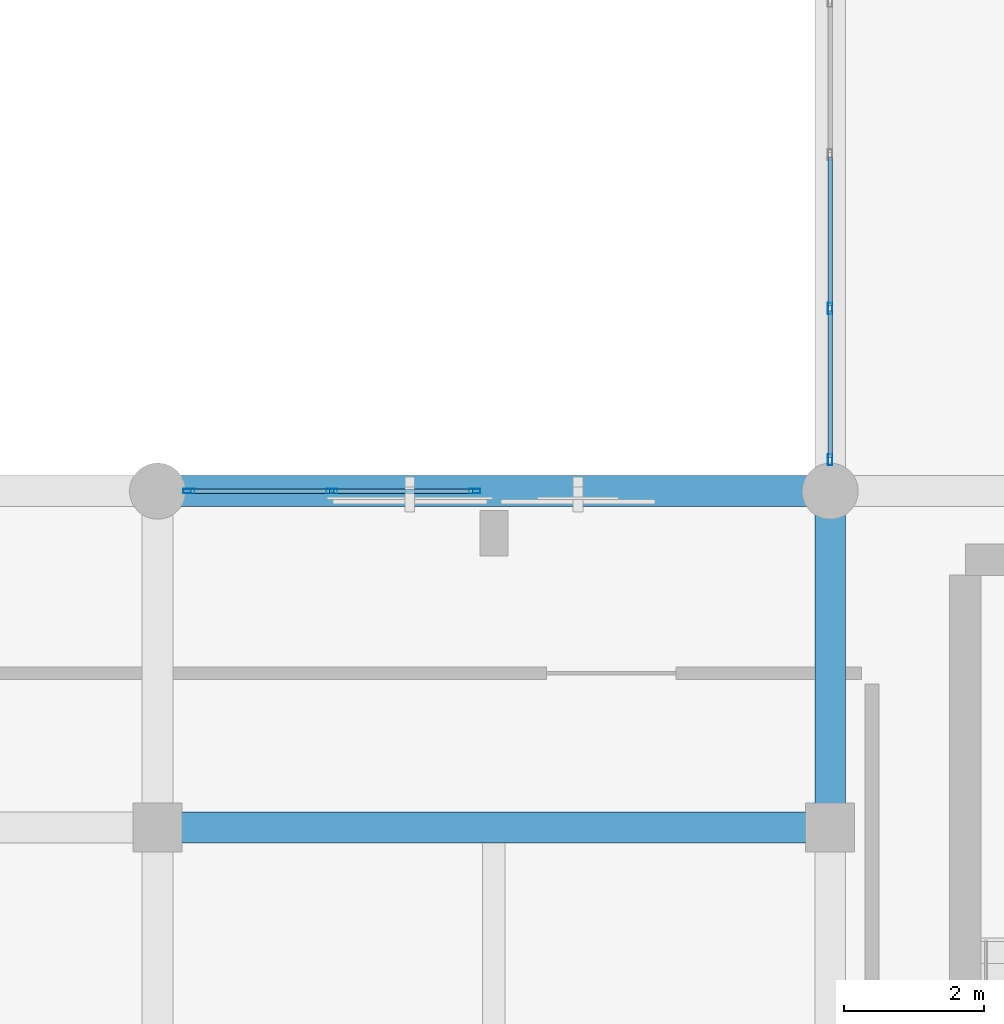
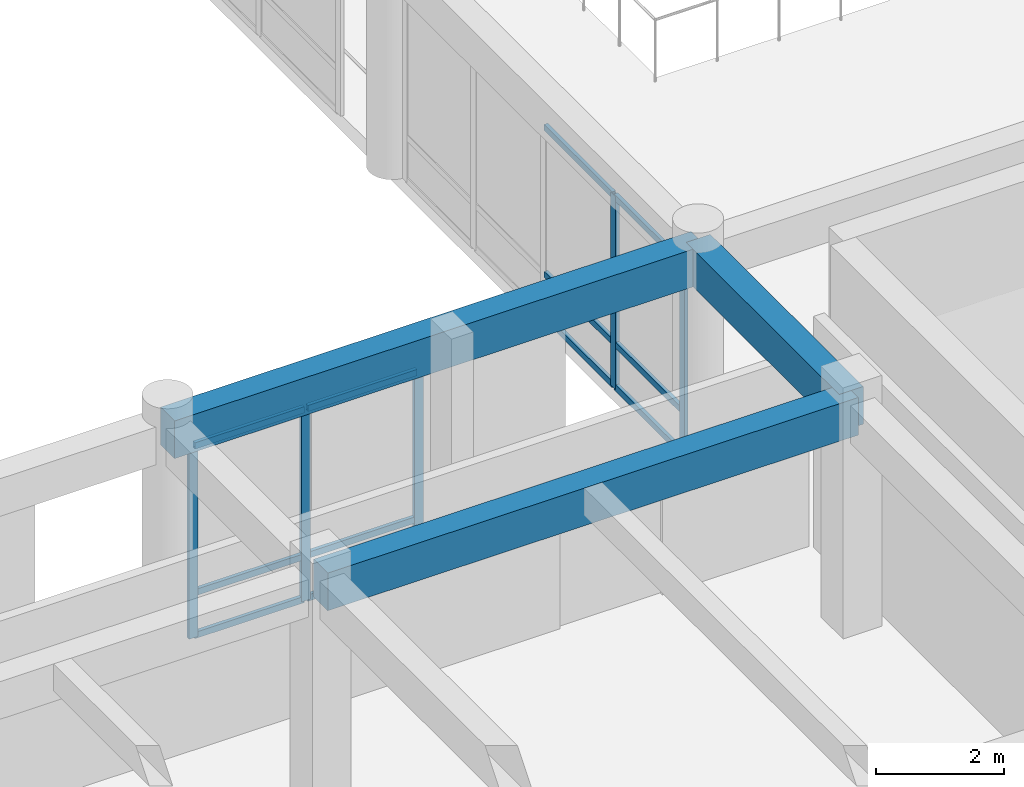
# One storey, part 30 of 133: 17 members, 3 beams, 2 elements without a shape of their own.
"""IFC4 building model written with IfcOpenShell, lengths in metres."""

from ifc_helpers import new_model, si_unit, direction, frame, origin, origin_2d, place, context, subcontext, project, spatial, rectangle, hollow_rectangle, extrude, material, layer, layer_set, material_profile, profile_set, type_object, element, aggregate, save


model = new_model("IFC4")

# Units and contexts
model_context = context("Model", 3, precision=1e-05, world=origin(), true_north=direction((0.0, 1.0)))
body_context = subcontext(model_context, "Body", "Model", "MODEL_VIEW")
ifc_project = project(units=[si_unit("LENGTHUNIT", "METRE"), si_unit("AREAUNIT", "SQUARE_METRE"), si_unit("VOLUMEUNIT", "CUBIC_METRE"), si_unit("PLANEANGLEUNIT", "RADIAN"), si_unit("MASSUNIT", "GRAM", prefix="KILO")], contexts=[model_context])

# Site, building, storey
site_placement = place(None, origin())
site = spatial("IfcSite", under=ifc_project, at=site_placement, CompositionType="ELEMENT")
building_placement = place(site_placement, origin())
building = spatial("IfcBuilding", under=site, at=building_placement, Name="Nakhvara Creek Congress Hotel", CompositionType="ELEMENT")
storey_placement = place(building_placement, frame((0.0, 0.0, 11.39990234375)))
storey = spatial("IfcBuildingStorey", under=building, at=storey_placement, Name="L02", CompositionType="ELEMENT", Elevation=11.39990234375)

# Beams
ifc_material_1 = material(Name="Concrete C40/50", Category="concrete")
ifc_material_profile_1 = material_profile(ifc_material_1, rectangle(XDim=0.43994140625, YDim=0.719970703125, at=origin_2d()), Name="RC-BM 440x720", Category="LoadBearing")
ifc_profile_set_1 = profile_set([ifc_material_profile_1], Name="Concrete C40/50")
beam_type = type_object("IfcBeamType", Name="BM-RC-440X720", PredefinedType="BEAM", material=ifc_profile_set_1)
for number, where, z_axis, x_axis, name in (
    (1, (115.199951171875, 38.39990234375, 4.06005859375), (1.0, 0.0, 0.0), (0.0, 1.0, 0.0), "Beam B12-L02-1513"),
    (2, (115.199951171875, 43.199951171875, 4.06005859375), (1.0, 0.0, 0.0), (0.0, 1.0, 0.0), "Beam B12-L02-1514"),
):
    element("IfcBeam", number, at=place(storey_placement, frame(where, z_axis=z_axis, x_axis=x_axis)), inside=storey, type_object=beam_type, Name=name, PredefinedType="BEAM", context=body_context, shape_type="SweptSolid", body=[
        extrude(rectangle(XDim=0.43994140625, YDim=0.719970703125, at=origin_2d()), origin(), (0.0, 0.0, 1.0), 9.60009765625),
    ])
beam_placement = place(storey_placement, frame((124.800048828125, 38.39990234375, 4.06005859375), z_axis=(0.0, 1.0, 0.0), x_axis=(-1.0, 0.0, 0.0)))
element("IfcBeam", 3, at=beam_placement, inside=storey, type_object=beam_type, Name="Beam B12-L02-1527", PredefinedType="BEAM", context=body_context, shape_type="SweptSolid", body=[
    extrude(rectangle(XDim=0.43994140625, YDim=0.719970703125, at=origin_2d()), origin(), (0.0, 0.0, 1.0), 4.800048828125),
])

# Curtain wall, members
ifc_material_2 = material(Name="Bronze-anodised aluminium AW-6063-T6 and double-silver low-E glass", Category="aluminium")
ifc_layer = layer(ifc_material_2, 0.199951171875)
ifc_layer_set = layer_set([ifc_layer], Name="Bronze-anodised aluminium AW-6063-T6 and double-silver low-E glass")
curtain_wall_type = type_object("IfcCurtainWallType", Name="CW-POD-STICK", PredefinedType="NOTDEFINED", material=ifc_layer_set)
curtain_wall_1_placement = place(storey_placement, origin())
curtain_wall_1 = element("IfcCurtainWall", 4, at=curtain_wall_1_placement, inside=storey, type_object=curtain_wall_type, Name="Curtain Wall CW041", PredefinedType="NOTDEFINED")
ifc_material_3 = material(Name="Bronze-anodised aluminium AW-6063-T6", Category="aluminium")
ifc_material_profile_2 = material_profile(ifc_material_3, hollow_rectangle(XDim=0.06494140625, YDim=0.159912109375, WallThickness=0.00390625, at=origin_2d()), Name="ALU-MULL 65x160x4", Category="LoadBearing")
ifc_profile_set_2 = profile_set([ifc_material_profile_2], Name="Bronze-anodised aluminium AW-6063-T6")
member_type_1 = type_object("IfcMemberType", Name="CW-MULL-160", PredefinedType="MULLION", material=ifc_profile_set_2)
member_1_placement = place(storey_placement, frame((115.6474609375, 43.199951171875, 0.0), z_axis=(0.0, 0.0, 1.0), x_axis=(0.0, 1.0, 0.0)))
member_1 = element("IfcMember", 5, at=member_1_placement, type_object=member_type_1, Name="CW041 mullion 1", PredefinedType="MULLION", context=body_context, shape_type="SweptSolid", body=[
    extrude(hollow_rectangle(XDim=0.06494140625, YDim=0.159912109375, WallThickness=0.00390625, at=origin_2d()), origin(), (0.0, 0.0, 1.0), 3.692138671875),
])
member_2_placement = place(storey_placement, frame((117.6875, 43.199951171875, 0.0), z_axis=(0.0, 0.0, 1.0), x_axis=(0.0, 1.0, 0.0)))
member_2 = element("IfcMember", 6, at=member_2_placement, type_object=member_type_1, Name="CW041 mullion 2", PredefinedType="MULLION", context=body_context, shape_type="SweptSolid", body=[
    extrude(hollow_rectangle(XDim=0.06494140625, YDim=0.159912109375, WallThickness=0.00390625, at=origin_2d()), origin(), (0.0, 0.0, 1.0), 3.692138671875),
])
member_3_placement = place(storey_placement, frame((119.7275390625, 43.199951171875, 0.0), z_axis=(0.0, 0.0, 1.0), x_axis=(0.0, 1.0, 0.0)))
member_3 = element("IfcMember", 7, at=member_3_placement, type_object=member_type_1, Name="CW041 mullion 3", PredefinedType="MULLION", context=body_context, shape_type="SweptSolid", body=[
    extrude(hollow_rectangle(XDim=0.06494140625, YDim=0.159912109375, WallThickness=0.00390625, at=origin_2d()), origin(), (0.0, 0.0, 1.0), 3.692138671875),
])

curtain_wall_2_placement = place(storey_placement, origin())
curtain_wall_2 = element("IfcCurtainWall", 8, at=curtain_wall_2_placement, inside=storey, type_object=curtain_wall_type, Name="Curtain Wall CW044", PredefinedType="NOTDEFINED")
member_4_placement = place(storey_placement, frame((124.800048828125, 43.6474609375, 0.0), z_axis=(0.0, 0.0, 1.0), x_axis=(-1.0, 0.0, 0.0)))
member_4 = element("IfcMember", 9, at=member_4_placement, type_object=member_type_1, Name="CW044 mullion 1", PredefinedType="MULLION", context=body_context, shape_type="SweptSolid", body=[
    extrude(hollow_rectangle(XDim=0.06494140625, YDim=0.159912109375, WallThickness=0.00390625, at=origin_2d()), origin(), (0.0, 0.0, 1.0), 3.692138671875),
])
member_5_placement = place(storey_placement, frame((124.800048828125, 45.8076171875, 0.0), z_axis=(0.0, 0.0, 1.0), x_axis=(-1.0, 0.0, 0.0)))
member_5 = element("IfcMember", 10, at=member_5_placement, type_object=member_type_1, Name="CW044 mullion 2", PredefinedType="MULLION", context=body_context, shape_type="SweptSolid", body=[
    extrude(hollow_rectangle(XDim=0.06494140625, YDim=0.159912109375, WallThickness=0.00390625, at=origin_2d()), origin(), (0.0, 0.0, 1.0), 3.692138671875),
])

# Member
ifc_material_profile_3 = material_profile(ifc_material_3, hollow_rectangle(XDim=0.06494140625, YDim=0.1201171875, WallThickness=0.00390625, at=origin_2d()), Name="ALU-TRAN 65x120x4", Category="LoadBearing")
ifc_profile_set_3 = profile_set([ifc_material_profile_3], Name="Bronze-anodised aluminium AW-6063-T6")
member_type_2 = type_object("IfcMemberType", Name="CW-TRAN-120", PredefinedType="USERDEFINED", material=ifc_profile_set_3)
member_6_placement = place(storey_placement, frame((115.679931640625, 43.199951171875, 0.03271484375), z_axis=(1.0, 0.0, 0.0), x_axis=(0.0, 1.0, 0.0)))
member_6 = element("IfcMember", 11, at=member_6_placement, type_object=member_type_2, Name="CW041 transom 1.1", ObjectType="TRANSOM", PredefinedType="USERDEFINED", context=body_context, shape_type="SweptSolid", body=[
    extrude(hollow_rectangle(XDim=0.06494140625, YDim=0.1201171875, WallThickness=0.00390625, at=origin_2d()), origin(), (0.0, 0.0, 1.0), 1.97509765625),
])

member_7_placement = place(storey_placement, frame((115.679931640625, 43.199951171875, 0.85009765625), z_axis=(1.0, 0.0, 0.0), x_axis=(0.0, 1.0, 0.0)))
member_7 = element("IfcMember", 12, at=member_7_placement, type_object=member_type_2, Name="CW041 transom 1.2", ObjectType="TRANSOM", PredefinedType="USERDEFINED", context=body_context, shape_type="SweptSolid", body=[
    extrude(hollow_rectangle(XDim=0.06494140625, YDim=0.1201171875, WallThickness=0.00390625, at=origin_2d()), origin(), (0.0, 0.0, 1.0), 1.97509765625),
])

member_8_placement = place(storey_placement, frame((115.679931640625, 43.199951171875, 3.65966796875), z_axis=(1.0, 0.0, 0.0), x_axis=(0.0, 1.0, 0.0)))
member_8 = element("IfcMember", 13, at=member_8_placement, type_object=member_type_2, Name="CW041 transom 1.3", ObjectType="TRANSOM", PredefinedType="USERDEFINED", context=body_context, shape_type="SweptSolid", body=[
    extrude(hollow_rectangle(XDim=0.06494140625, YDim=0.1201171875, WallThickness=0.00390625, at=origin_2d()), origin(), (0.0, 0.0, 1.0), 1.97509765625),
])

member_9_placement = place(storey_placement, frame((117.719970703125, 43.199951171875, 0.03271484375), z_axis=(1.0, 0.0, 0.0), x_axis=(0.0, 1.0, 0.0)))
member_9 = element("IfcMember", 14, at=member_9_placement, type_object=member_type_2, Name="CW041 transom 2.1", ObjectType="TRANSOM", PredefinedType="USERDEFINED", context=body_context, shape_type="SweptSolid", body=[
    extrude(hollow_rectangle(XDim=0.06494140625, YDim=0.1201171875, WallThickness=0.00390625, at=origin_2d()), origin(), (0.0, 0.0, 1.0), 1.97509765625),
])

member_10_placement = place(storey_placement, frame((117.719970703125, 43.199951171875, 0.85009765625), z_axis=(1.0, 0.0, 0.0), x_axis=(0.0, 1.0, 0.0)))
member_10 = element("IfcMember", 15, at=member_10_placement, type_object=member_type_2, Name="CW041 transom 2.2", ObjectType="TRANSOM", PredefinedType="USERDEFINED", context=body_context, shape_type="SweptSolid", body=[
    extrude(hollow_rectangle(XDim=0.06494140625, YDim=0.1201171875, WallThickness=0.00390625, at=origin_2d()), origin(), (0.0, 0.0, 1.0), 1.97509765625),
])

member_11_placement = place(storey_placement, frame((117.719970703125, 43.199951171875, 3.65966796875), z_axis=(1.0, 0.0, 0.0), x_axis=(0.0, 1.0, 0.0)))
member_11 = element("IfcMember", 16, at=member_11_placement, type_object=member_type_2, Name="CW041 transom 2.3", ObjectType="TRANSOM", PredefinedType="USERDEFINED", context=body_context, shape_type="SweptSolid", body=[
    extrude(hollow_rectangle(XDim=0.06494140625, YDim=0.1201171875, WallThickness=0.00390625, at=origin_2d()), origin(), (0.0, 0.0, 1.0), 1.97509765625),
])

aggregate(curtain_wall_1, [member_1, member_2, member_3, member_6, member_7, member_8, member_9, member_10, member_11])

member_12_placement = place(storey_placement, frame((124.800048828125, 43.679931640625, 0.03271484375), z_axis=(0.0, 1.0, 0.0), x_axis=(-1.0, 0.0, 0.0)))
member_12 = element("IfcMember", 17, at=member_12_placement, type_object=member_type_2, Name="CW044 transom 1.1", ObjectType="TRANSOM", PredefinedType="USERDEFINED", context=body_context, shape_type="SweptSolid", body=[
    extrude(hollow_rectangle(XDim=0.06494140625, YDim=0.1201171875, WallThickness=0.00390625, at=origin_2d()), origin(), (0.0, 0.0, 1.0), 2.094970703125),
])

member_13_placement = place(storey_placement, frame((124.800048828125, 43.679931640625, 0.85009765625), z_axis=(0.0, 1.0, 0.0), x_axis=(-1.0, 0.0, 0.0)))
member_13 = element("IfcMember", 18, at=member_13_placement, type_object=member_type_2, Name="CW044 transom 1.2", ObjectType="TRANSOM", PredefinedType="USERDEFINED", context=body_context, shape_type="SweptSolid", body=[
    extrude(hollow_rectangle(XDim=0.06494140625, YDim=0.1201171875, WallThickness=0.00390625, at=origin_2d()), origin(), (0.0, 0.0, 1.0), 2.094970703125),
])

member_14_placement = place(storey_placement, frame((124.800048828125, 43.679931640625, 3.65966796875), z_axis=(0.0, 1.0, 0.0), x_axis=(-1.0, 0.0, 0.0)))
member_14 = element("IfcMember", 19, at=member_14_placement, type_object=member_type_2, Name="CW044 transom 1.3", ObjectType="TRANSOM", PredefinedType="USERDEFINED", context=body_context, shape_type="SweptSolid", body=[
    extrude(hollow_rectangle(XDim=0.06494140625, YDim=0.1201171875, WallThickness=0.00390625, at=origin_2d()), origin(), (0.0, 0.0, 1.0), 2.094970703125),
])

member_15_placement = place(storey_placement, frame((124.800048828125, 45.840087890625, 0.03271484375), z_axis=(0.0, 1.0, 0.0), x_axis=(-1.0, 0.0, 0.0)))
member_15 = element("IfcMember", 20, at=member_15_placement, type_object=member_type_2, Name="CW044 transom 2.1", ObjectType="TRANSOM", PredefinedType="USERDEFINED", context=body_context, shape_type="SweptSolid", body=[
    extrude(hollow_rectangle(XDim=0.06494140625, YDim=0.1201171875, WallThickness=0.00390625, at=origin_2d()), origin(), (0.0, 0.0, 1.0), 2.12744140625),
])

member_16_placement = place(storey_placement, frame((124.800048828125, 45.840087890625, 0.85009765625), z_axis=(0.0, 1.0, 0.0), x_axis=(-1.0, 0.0, 0.0)))
member_16 = element("IfcMember", 21, at=member_16_placement, type_object=member_type_2, Name="CW044 transom 2.2", ObjectType="TRANSOM", PredefinedType="USERDEFINED", context=body_context, shape_type="SweptSolid", body=[
    extrude(hollow_rectangle(XDim=0.06494140625, YDim=0.1201171875, WallThickness=0.00390625, at=origin_2d()), origin(), (0.0, 0.0, 1.0), 2.12744140625),
])

member_17_placement = place(storey_placement, frame((124.800048828125, 45.840087890625, 3.65966796875), z_axis=(0.0, 1.0, 0.0), x_axis=(-1.0, 0.0, 0.0)))
member_17 = element("IfcMember", 22, at=member_17_placement, type_object=member_type_2, Name="CW044 transom 2.3", ObjectType="TRANSOM", PredefinedType="USERDEFINED", context=body_context, shape_type="SweptSolid", body=[
    extrude(hollow_rectangle(XDim=0.06494140625, YDim=0.1201171875, WallThickness=0.00390625, at=origin_2d()), origin(), (0.0, 0.0, 1.0), 2.12744140625),
])

aggregate(curtain_wall_2, [member_4, member_5, member_12, member_13, member_14, member_15, member_16, member_17])

save(model, "model.ifc")
